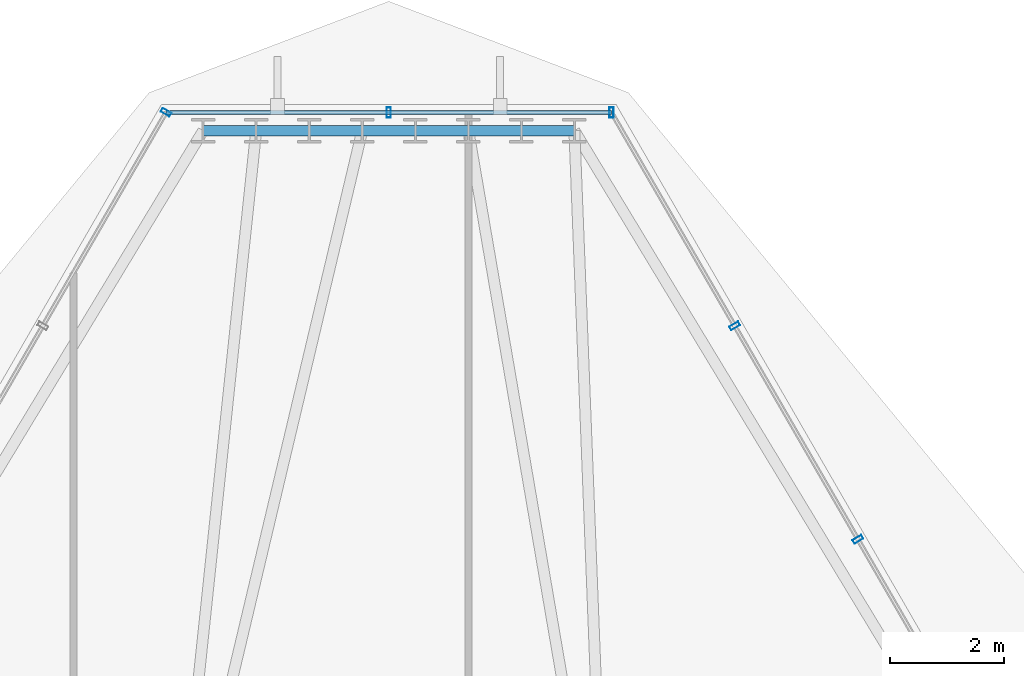
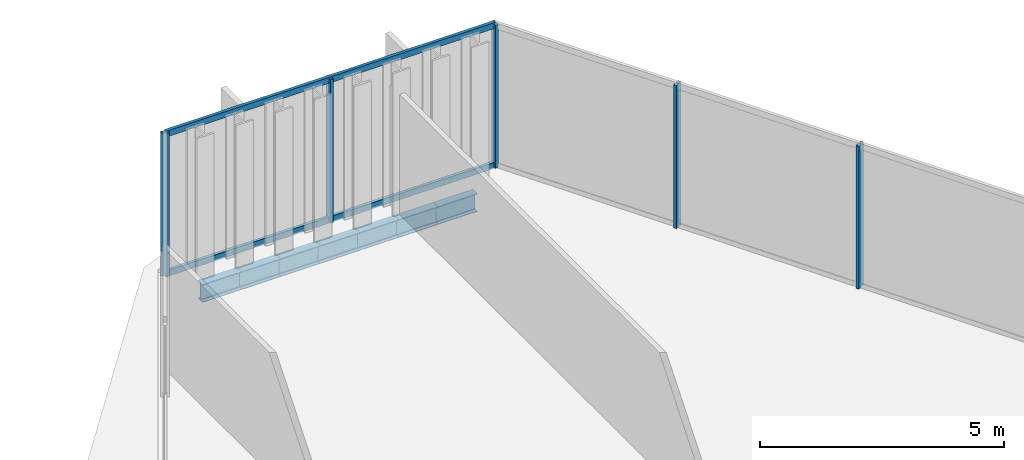
# One storey, part 27 of 37: 7 beams, 7 members, 3 elements without a shape of their own.
"""IFC4 building model written with IfcOpenShell, lengths in metres."""

from ifc_helpers import new_model, si_unit, direction, frame, origin, origin_2d, place, context, subcontext, project, spatial, hollow_rectangle, i_section, extrude, material, layer, layer_set, material_profile, profile_set, type_object, element, aggregate, save


model = new_model("IFC4")

# Units and contexts
model_context = context("Model", 3, precision=1e-05, world=origin(), true_north=direction((0.0, 1.0)))
body_context = subcontext(model_context, "Body", "Model", "MODEL_VIEW")
ifc_project = project(units=[si_unit("LENGTHUNIT", "METRE"), si_unit("AREAUNIT", "SQUARE_METRE"), si_unit("VOLUMEUNIT", "CUBIC_METRE"), si_unit("PLANEANGLEUNIT", "RADIAN"), si_unit("MASSUNIT", "GRAM", prefix="KILO")], contexts=[model_context])

# Site, building, storey
site_placement = place(None, origin())
site = spatial("IfcSite", under=ifc_project, at=site_placement, CompositionType="ELEMENT")
building_placement = place(site_placement, origin())
building = spatial("IfcBuilding", under=site, at=building_placement, Name="Ndaravel Arena Tower", CompositionType="ELEMENT")
storey_placement = place(building_placement, frame((0.0, 0.0, 218.0)))
storey = spatial("IfcBuildingStorey", under=building, at=storey_placement, Name="L52", CompositionType="ELEMENT", Elevation=218.0)

# Beams
ifc_material_1 = material(Name="Steel S355", Category="steel")
ifc_material_profile_1 = material_profile(ifc_material_1, i_section(OverallWidth=0.18994140625, OverallDepth=0.449951171875, WebThickness=0.009521484375, FlangeThickness=0.0146484375, FilletRadius=0.02099609375, at=origin_2d()), Name="IPE 450")
ifc_profile_set_1 = profile_set([ifc_material_profile_1], Name="Steel S355")
beam_type = type_object("IfcBeamType", Name="BM-SPAN-IPE450", PredefinedType="SPANDREL", material=ifc_profile_set_1)
beam_1_placement = place(storey_placement, frame((45.25244140625, 45.2578125, -0.445068359375), z_axis=(-1.0, 0.0, 0.0), x_axis=(0.0, -1.0, 0.0)))
element("IfcBeam", 1, at=beam_1_placement, inside=storey, type_object=beam_type, Name="L52 Perimeter Spandrel Beam SP-11", PredefinedType="SPANDREL", context=body_context, shape_type="SweptSolid", body=[
    extrude(i_section(OverallWidth=0.18994140625, OverallDepth=0.449951171875, WebThickness=0.009521484375, FlangeThickness=0.0146484375, FilletRadius=0.02099609375, at=origin_2d()), origin(), (0.0, 0.0, 1.0), 0.92919921875),
])
beam_2_placement = place(storey_placement, frame((44.3232421875, 45.2578125, -0.445068359375), z_axis=(-1.0, 0.0, 0.0), x_axis=(0.0, -1.0, 0.0)))
element("IfcBeam", 2, at=beam_2_placement, inside=storey, type_object=beam_type, Name="L52 Perimeter Spandrel Beam SP-12", PredefinedType="SPANDREL", context=body_context, shape_type="SweptSolid", body=[
    extrude(i_section(OverallWidth=0.18994140625, OverallDepth=0.449951171875, WebThickness=0.009521484375, FlangeThickness=0.0146484375, FilletRadius=0.02099609375, at=origin_2d()), origin(), (0.0, 0.0, 1.0), 0.929443359375),
])
for number, where, z_axis, x_axis, name in (
    (3, (43.393798828125, 45.2578125, -0.445068359375), (-1.0, 0.0, 0.0), (0.0, -1.0, 0.0), "L52 Perimeter Spandrel Beam SP-13"),
    (4, (42.464599609375, 45.2578125, -0.445068359375), (-1.0, 0.0, 0.0), (0.0, -1.0, 0.0), "L52 Perimeter Spandrel Beam SP-14"),
    (5, (41.535400390625, 45.2578125, -0.445068359375), (-1.0, 0.0, 0.0), (0.0, -1.0, 0.0), "L52 Perimeter Spandrel Beam SP-15"),
):
    element("IfcBeam", number, at=place(storey_placement, frame(where, z_axis=z_axis, x_axis=x_axis)), inside=storey, type_object=beam_type, Name=name, PredefinedType="SPANDREL", context=body_context, shape_type="SweptSolid", body=[
        extrude(i_section(OverallWidth=0.18994140625, OverallDepth=0.449951171875, WebThickness=0.009521484375, FlangeThickness=0.0146484375, FilletRadius=0.02099609375, at=origin_2d()), origin(), (0.0, 0.0, 1.0), 0.92919921875),
    ])
beam_3_placement = place(storey_placement, frame((40.606201171875, 45.2578125, -0.445068359375), z_axis=(-1.0, 0.0, 0.0), x_axis=(0.0, -1.0, 0.0)))
element("IfcBeam", 6, at=beam_3_placement, inside=storey, type_object=beam_type, Name="L52 Perimeter Spandrel Beam SP-16", PredefinedType="SPANDREL", context=body_context, shape_type="SweptSolid", body=[
    extrude(i_section(OverallWidth=0.18994140625, OverallDepth=0.449951171875, WebThickness=0.009521484375, FlangeThickness=0.0146484375, FilletRadius=0.02099609375, at=origin_2d()), origin(), (0.0, 0.0, 1.0), 0.929443359375),
])
beam_4_placement = place(storey_placement, frame((39.6767578125, 45.2578125, -0.445068359375), z_axis=(-1.0, 0.0, 0.0), x_axis=(0.0, -1.0, 0.0)))
element("IfcBeam", 7, at=beam_4_placement, inside=storey, type_object=beam_type, Name="L52 Perimeter Spandrel Beam SP-17", PredefinedType="SPANDREL", context=body_context, shape_type="SweptSolid", body=[
    extrude(i_section(OverallWidth=0.18994140625, OverallDepth=0.449951171875, WebThickness=0.009521484375, FlangeThickness=0.0146484375, FilletRadius=0.02099609375, at=origin_2d()), origin(), (0.0, 0.0, 1.0), 0.92919921875),
])

# Curtain wall, members
ifc_material_2 = material(Name="Aluminium", Category="aluminium")
ifc_layer_1 = layer(ifc_material_2, 0.179931640625)
ifc_layer_set_1 = layer_set([ifc_layer_1], Name="Aluminium")
curtain_wall_type_1 = type_object("IfcCurtainWallType", Name="CW-SYS-03", PredefinedType="NOTDEFINED", material=ifc_layer_set_1)
curtain_wall_1_placement = place(storey_placement, origin())
curtain_wall_1 = element("IfcCurtainWall", 8, at=curtain_wall_1_placement, inside=storey, type_object=curtain_wall_type_1, Name="L52 Faceted Crystal Curtain Wall CW-L52-E03", PredefinedType="NOTDEFINED")
ifc_material_3 = material(Name="Aluminium", Category="aluminium")
ifc_material_profile_2 = material_profile(ifc_material_3, hollow_rectangle(XDim=0.074951171875, YDim=0.179931640625, WallThickness=0.00390625, at=origin_2d()), Name="CW MULLION 75x180x4")
ifc_profile_set_2 = profile_set([ifc_material_profile_2], Name="Aluminium")
member_type_1 = type_object("IfcMemberType", Name="MEM-CW-MUL180", PredefinedType="MULLION", material=ifc_profile_set_2)
member_1_placement = place(storey_placement, frame((50.22021484375, 38.097900390625, 0.0), z_axis=(0.0, 0.0, 1.0), x_axis=(-0.5, 0.866025403784, 0.0)))
member_1 = element("IfcMember", 9, at=member_1_placement, type_object=member_type_1, Name="CW-L52-E03 Mullion 07", PredefinedType="MULLION", context=body_context, shape_type="SweptSolid", body=[
    extrude(hollow_rectangle(XDim=0.074951171875, YDim=0.179931640625, WallThickness=0.00390625, at=origin_2d()), origin(), (0.0, 0.0, 1.0), 3.580078125),
])
member_2_placement = place(storey_placement, frame((48.06103515625, 41.837890625, 0.0), z_axis=(0.0, 0.0, 1.0), x_axis=(-0.5, 0.866025403784, 0.0)))
member_2 = element("IfcMember", 10, at=member_2_placement, type_object=member_type_1, Name="CW-L52-E03 Mullion 08", PredefinedType="MULLION", context=body_context, shape_type="SweptSolid", body=[
    extrude(hollow_rectangle(XDim=0.074951171875, YDim=0.179931640625, WallThickness=0.00390625, at=origin_2d()), origin(), (0.0, 0.0, 1.0), 3.580078125),
])
aggregate(curtain_wall_1, [member_1, member_2])

ifc_material_4 = material(Name="Aluminium", Category="aluminium")
ifc_layer_2 = layer(ifc_material_4, 0.179931640625)
ifc_layer_set_2 = layer_set([ifc_layer_2], Name="Aluminium")
curtain_wall_type_2 = type_object("IfcCurtainWallType", Name="CW-SYS-01", PredefinedType="NOTDEFINED", material=ifc_layer_set_2)
curtain_wall_2_placement = place(storey_placement, origin())
curtain_wall_2 = element("IfcCurtainWall", 11, at=curtain_wall_2_placement, inside=storey, type_object=curtain_wall_type_2, Name="L52 Faceted Crystal Curtain Wall CW-L52-E04", PredefinedType="NOTDEFINED")
member_3_placement = place(storey_placement, frame((45.90185546875, 45.57763671875, 0.0), z_axis=(0.0, 0.0, 1.0), x_axis=(-1.0, 0.0, 0.0)))
member_3 = element("IfcMember", 12, at=member_3_placement, type_object=member_type_1, Name="CW-L52-E04 Mullion 00", PredefinedType="MULLION", context=body_context, shape_type="SweptSolid", body=[
    extrude(hollow_rectangle(XDim=0.074951171875, YDim=0.179931640625, WallThickness=0.00390625, at=origin_2d()), origin(), (0.0, 0.0, 1.0), 3.580078125),
])
member_4_placement = place(storey_placement, frame((42.0, 45.57763671875, 0.0), z_axis=(0.0, 0.0, 1.0), x_axis=(-1.0, 0.0, 0.0)))
member_4 = element("IfcMember", 13, at=member_4_placement, type_object=member_type_1, Name="CW-L52-E04 Mullion 01", PredefinedType="MULLION", context=body_context, shape_type="SweptSolid", body=[
    extrude(hollow_rectangle(XDim=0.074951171875, YDim=0.179931640625, WallThickness=0.00390625, at=origin_2d()), origin(), (0.0, 0.0, 1.0), 3.580078125),
])

# Curtain wall, member
curtain_wall_3_placement = place(storey_placement, origin())
curtain_wall_3 = element("IfcCurtainWall", 14, at=curtain_wall_3_placement, inside=storey, type_object=curtain_wall_type_1, Name="L52 Faceted Crystal Curtain Wall CW-L52-E05", PredefinedType="NOTDEFINED")
member_5_placement = place(storey_placement, frame((38.09814453125, 45.57763671875, 0.0), z_axis=(0.0, 0.0, 1.0), x_axis=(-0.5, -0.866025403784, 0.0)))
member_5 = element("IfcMember", 15, at=member_5_placement, type_object=member_type_1, Name="CW-L52-E05 Mullion 00", PredefinedType="MULLION", context=body_context, shape_type="SweptSolid", body=[
    extrude(hollow_rectangle(XDim=0.074951171875, YDim=0.179931640625, WallThickness=0.00390625, at=origin_2d()), origin(), (0.0, 0.0, 1.0), 3.580078125),
])
aggregate(curtain_wall_3, [member_5])

# Member
ifc_material_5 = material(Name="Aluminium", Category="aluminium")
ifc_material_profile_3 = material_profile(ifc_material_5, hollow_rectangle(XDim=0.074951171875, YDim=0.14990234375, WallThickness=0.00390625, at=origin_2d()), Name="CW TRANSOM 75x150x4")
ifc_profile_set_3 = profile_set([ifc_material_profile_3], Name="Aluminium")
member_type_2 = type_object("IfcMemberType", Name="MEM-CW-TRN150", PredefinedType="USERDEFINED", material=ifc_profile_set_3)
member_6_placement = place(storey_placement, frame((45.90185546875, 45.57763671875, 0.0400390625), z_axis=(-1.0, 0.0, 0.0), x_axis=(0.0, -1.0, 0.0)))
member_6 = element("IfcMember", 16, at=member_6_placement, type_object=member_type_2, Name="CW-L52-E04 Transom 01", ObjectType="TRANSOM", PredefinedType="USERDEFINED", context=body_context, shape_type="SweptSolid", body=[
    extrude(hollow_rectangle(XDim=0.074951171875, YDim=0.14990234375, WallThickness=0.00390625, at=origin_2d()), origin(), (0.0, 0.0, 1.0), 7.8037109375),
])

member_7_placement = place(storey_placement, frame((45.90185546875, 45.57763671875, 3.5400390625), z_axis=(-1.0, 0.0, 0.0), x_axis=(0.0, -1.0, 0.0)))
member_7 = element("IfcMember", 17, at=member_7_placement, type_object=member_type_2, Name="CW-L52-E04 Transom 02", ObjectType="TRANSOM", PredefinedType="USERDEFINED", context=body_context, shape_type="SweptSolid", body=[
    extrude(hollow_rectangle(XDim=0.074951171875, YDim=0.14990234375, WallThickness=0.00390625, at=origin_2d()), origin(), (0.0, 0.0, 1.0), 7.8037109375),
])

aggregate(curtain_wall_2, [member_3, member_4, member_6, member_7])

save(model, "model.ifc")
